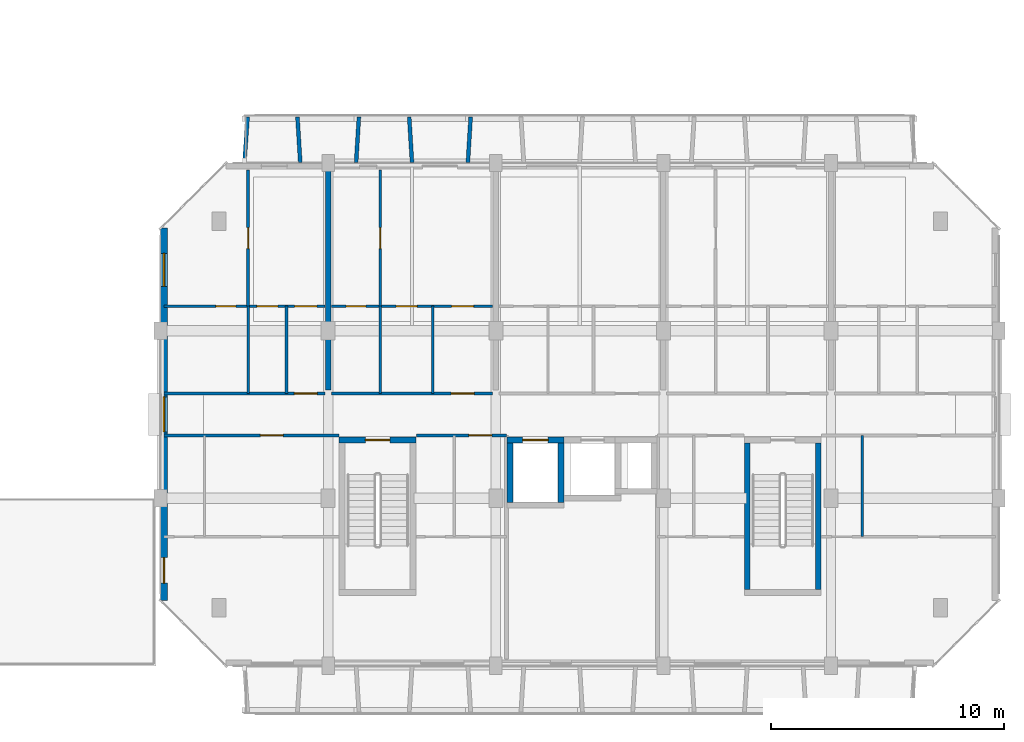
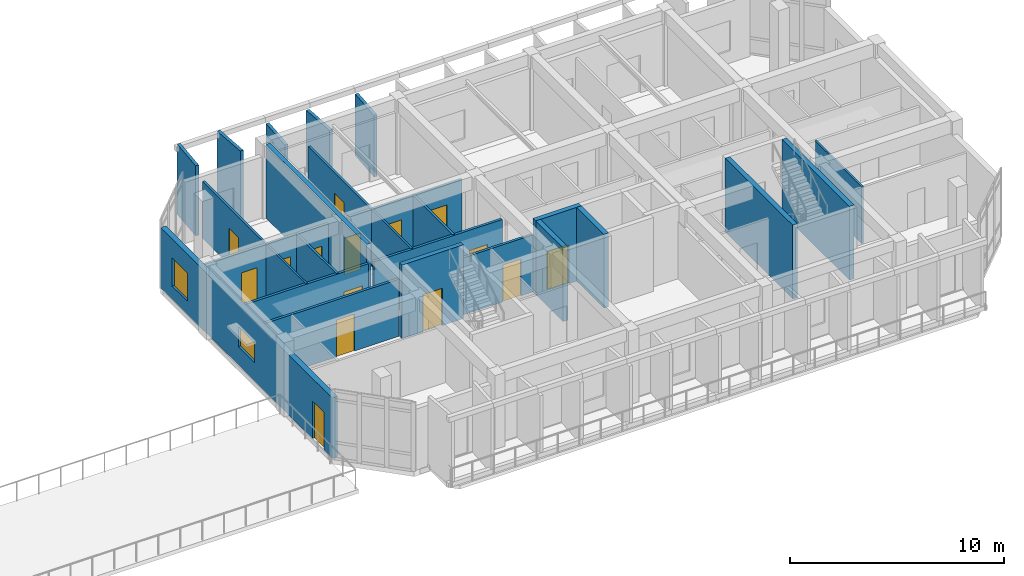
# One storey, part 60 of 85: 26 walls, 15 doors, 2 windows, 17 openings.
"""IFC4 building model written with IfcOpenShell, lengths in metres."""

from ifc_helpers import new_model, si_unit, direction, frame, frame_2d, origin, place, context, subcontext, project, spatial, rectangle, extrude, material, layer, layer_set, type_object, element, fill, save


model = new_model("IFC4")

# Units and contexts
model_context = context("Model", 3, precision=1e-05, world=origin(), true_north=direction((0.0, 1.0)))
body_context = subcontext(model_context, "Body", "Model", "MODEL_VIEW")
ifc_project = project(units=[si_unit("LENGTHUNIT", "METRE"), si_unit("AREAUNIT", "SQUARE_METRE"), si_unit("VOLUMEUNIT", "CUBIC_METRE"), si_unit("PLANEANGLEUNIT", "RADIAN"), si_unit("MASSUNIT", "GRAM", prefix="KILO")], contexts=[model_context])

# Site, building, storey
site_placement = place(None, origin())
site = spatial("IfcSite", under=ifc_project, at=site_placement, CompositionType="ELEMENT")
building_placement = place(site_placement, origin())
building = spatial("IfcBuilding", under=site, at=building_placement, Name="Ochrevale Crest", CompositionType="ELEMENT")
storey_placement = place(building_placement, frame((0.0, 0.0, 4.5)))
storey = spatial("IfcBuildingStorey", under=building, at=storey_placement, Name="L01", CompositionType="ELEMENT", Elevation=4.5)

# Wall, opening, door
ifc_material_1 = material(Name="Gypsum plasterboard", Category="gypsum")
ifc_layer_1 = layer(ifc_material_1, 0.139892578125)
ifc_layer_set_1 = layer_set([ifc_layer_1], Name="Gypsum plasterboard")
wall_type_1 = type_object("IfcWallType", Name="WL-COR-140", PredefinedType="PARTITIONING", material=ifc_layer_set_1)
wall_1_placement = place(storey_placement, frame((129.739990234375, 83.699951171875, 0.0), z_axis=(0.0, 0.0, 1.0), x_axis=(1.0, 0.0, 0.0)))
wall_1 = element("IfcWall", 1, at=wall_1_placement, inside=storey, type_object=wall_type_1, Name="Apartment D-L01-U1 corridor wall", PredefinedType="PARTITIONING", context=body_context, shape_type="SweptSolid", body=[
    extrude(rectangle(XDim=6.919921875, YDim=0.139892578125, at=frame_2d((3.4599609375, 0.0))), origin(), (0.0, 0.0, 1.0), 3.25),
])
opening_1_placement = place(wall_1_placement, frame((5.60498046875, 0.0, 0.0)))
opening_1 = element("IfcOpeningElement", 2, at=opening_1_placement, cuts=wall_1, Name="Opening FD01", PredefinedType="OPENING", context=body_context, shape_type="SweptSolid", body=[
    extrude(rectangle(XDim=0.97998046875, YDim=2.10009765625, at=frame_2d((0.489990234375, 1.050048828125))), frame((0.0, 0.080078125, 0.0), z_axis=(0.0, -1.0, 0.0), x_axis=(1.0, 0.0, 0.0)), (0.0, 0.0, 1.0), 0.159912109375),
])
ifc_material_2 = material(Name="Solid-core FSC hardwood", Category="wood")
door_type_1 = type_object("IfcDoorType", Name="DR-APT-950", OperationType="NOTDEFINED", PredefinedType="DOOR", material=ifc_material_2)
door_1_placement = place(opening_1_placement, origin())
door_1 = element("IfcDoor", 3, at=door_1_placement, inside=storey, type_object=door_type_1, Name="Apartment D-L01-U1 entrance door", OperationType="SINGLE_SWING_LEFT", OverallHeight=2.10009765625, OverallWidth=0.97998046875, PredefinedType="DOOR", context=body_context, shape_type="SweptSolid", body=[
    extrude(rectangle(XDim=0.97998046875, YDim=2.10009765625, at=frame_2d((0.489990234375, 1.050048828125))), frame((0.0, 0.02490234375, 0.0), z_axis=(0.0, -1.0, 0.0), x_axis=(1.0, 0.0, 0.0)), (0.0, 0.0, 1.0), 0.050048828125),
])
fill(opening_1, door_1)

wall_2_placement = place(storey_placement, frame((136.93994140625, 83.699951171875, 0.0), z_axis=(0.0, 0.0, 1.0), x_axis=(1.0, 0.0, 0.0)))
wall_2 = element("IfcWall", 4, at=wall_2_placement, inside=storey, type_object=wall_type_1, Name="Apartment D-L01-U2 corridor wall", PredefinedType="PARTITIONING", context=body_context, shape_type="SweptSolid", body=[
    extrude(rectangle(XDim=6.920166015625, YDim=0.139892578125, at=frame_2d((3.4599609375, 0.0))), origin(), (0.0, 0.0, 1.0), 3.25),
])
opening_2_placement = place(wall_2_placement, frame((6.125, 0.0, 0.0), z_axis=(0.0, 0.0, 1.0), x_axis=(-1.0, 0.0, 0.0)))
opening_2 = element("IfcOpeningElement", 5, at=opening_2_placement, cuts=wall_2, Name="Opening FD01", PredefinedType="OPENING", context=body_context, shape_type="SweptSolid", body=[
    extrude(rectangle(XDim=0.97998046875, YDim=2.10009765625, at=frame_2d((0.489990234375, 1.050048828125))), frame((0.0, 0.080078125, 0.0), z_axis=(0.0, -1.0, 0.0), x_axis=(1.0, 0.0, 0.0)), (0.0, 0.0, 1.0), 0.159912109375),
])
door_2_placement = place(opening_2_placement, origin())
door_2 = element("IfcDoor", 6, at=door_2_placement, inside=storey, type_object=door_type_1, Name="Apartment D-L01-U2 entrance door", OperationType="SINGLE_SWING_RIGHT", OverallHeight=2.10009765625, OverallWidth=0.97998046875, PredefinedType="DOOR", context=body_context, shape_type="SweptSolid", body=[
    extrude(rectangle(XDim=0.97998046875, YDim=2.10009765625, at=frame_2d((0.489990234375, 1.050048828125))), frame((0.0, 0.02490234375, 0.0), z_axis=(0.0, -1.0, 0.0), x_axis=(1.0, 0.0, 0.0)), (0.0, 0.0, 1.0), 0.050048828125),
])
fill(opening_2, door_2)

wall_3_placement = place(storey_placement, frame((129.739990234375, 81.89990234375, 0.0), z_axis=(0.0, 0.0, 1.0), x_axis=(1.0, 0.0, 0.0)))
wall_3 = element("IfcWall", 7, at=wall_3_placement, inside=storey, type_object=wall_type_1, Name="Suite D-L01-CW corridor wall", PredefinedType="PARTITIONING", context=body_context, shape_type="SweptSolid", body=[
    extrude(rectangle(XDim=7.52001953125, YDim=0.139892578125, at=frame_2d((3.760009765625, 0.0))), origin(), (0.0, 0.0, 1.0), 3.25),
])
opening_3_placement = place(wall_3_placement, frame((5.125, 0.0, 0.0), z_axis=(0.0, 0.0, 1.0), x_axis=(-1.0, 0.0, 0.0)))
opening_3 = element("IfcOpeningElement", 8, at=opening_3_placement, cuts=wall_3, Name="Opening FD01", PredefinedType="OPENING", context=body_context, shape_type="SweptSolid", body=[
    extrude(rectangle(XDim=0.97998046875, YDim=2.10009765625, at=frame_2d((0.489990234375, 1.050048828125))), frame((0.0, 0.080078125, 0.0), z_axis=(0.0, -1.0, 0.0), x_axis=(1.0, 0.0, 0.0)), (0.0, 0.0, 1.0), 0.159912109375),
])
door_3_placement = place(opening_3_placement, origin())
door_3 = element("IfcDoor", 9, at=door_3_placement, inside=storey, type_object=door_type_1, Name="Suite D-L01-CW entrance door", OperationType="SINGLE_SWING_RIGHT", OverallHeight=2.10009765625, OverallWidth=0.97998046875, PredefinedType="DOOR", context=body_context, shape_type="SweptSolid", body=[
    extrude(rectangle(XDim=0.97998046875, YDim=2.10009765625, at=frame_2d((0.489990234375, 1.050048828125))), frame((0.0, 0.02490234375, 0.0), z_axis=(0.0, -1.0, 0.0), x_axis=(1.0, 0.0, 0.0)), (0.0, 0.0, 1.0), 0.050048828125),
])
fill(opening_3, door_3)

wall_4_placement = place(storey_placement, frame((140.590087890625, 81.89990234375, 0.0), z_axis=(0.0, 0.0, 1.0), x_axis=(1.0, 0.0, 0.0)))
wall_4 = element("IfcWall", 10, at=wall_4_placement, inside=storey, type_object=wall_type_1, Name="Suite D-L01-MW corridor wall", PredefinedType="PARTITIONING", context=body_context, shape_type="SweptSolid", body=[
    extrude(rectangle(XDim=3.869873046875, YDim=0.139892578125, at=frame_2d((1.93505859375, 0.0))), origin(), (0.0, 0.0, 1.0), 3.25),
])
opening_4_placement = place(wall_4_placement, frame((2.2578125, 0.0, 0.0)))
opening_4 = element("IfcOpeningElement", 11, at=opening_4_placement, cuts=wall_4, Name="Opening FD01", PredefinedType="OPENING", context=body_context, shape_type="SweptSolid", body=[
    extrude(rectangle(XDim=0.97998046875, YDim=2.10009765625, at=frame_2d((0.489990234375, 1.050048828125))), frame((0.0, 0.080078125, 0.0), z_axis=(0.0, -1.0, 0.0), x_axis=(1.0, 0.0, 0.0)), (0.0, 0.0, 1.0), 0.159912109375),
])
door_4_placement = place(opening_4_placement, origin())
door_4 = element("IfcDoor", 12, at=door_4_placement, inside=storey, type_object=door_type_1, Name="Suite D-L01-MW entrance door", OperationType="SINGLE_SWING_LEFT", OverallHeight=2.10009765625, OverallWidth=0.97998046875, PredefinedType="DOOR", context=body_context, shape_type="SweptSolid", body=[
    extrude(rectangle(XDim=0.97998046875, YDim=2.10009765625, at=frame_2d((0.489990234375, 1.050048828125))), frame((0.0, 0.02490234375, 0.0), z_axis=(0.0, -1.0, 0.0), x_axis=(1.0, 0.0, 0.0)), (0.0, 0.0, 1.0), 0.050048828125),
])
fill(opening_4, door_4)

ifc_material_3 = material(Name="Precast concrete C50/60", Category="concrete")
ifc_layer_2 = layer(ifc_material_3, 0.2548828125)
ifc_layer_set_2 = layer_set([ifc_layer_2], Name="Precast concrete C50/60")
wall_type_2 = type_object("IfcWallType", Name="WL-CORE-255", PredefinedType="SHEAR", material=ifc_layer_set_2)
wall_5_placement = place(storey_placement, frame((137.2724609375, 81.699951171875, 0.0), z_axis=(0.0, 0.0, 1.0), x_axis=(1.0, 0.0, 0.0)))
wall_5 = element("IfcWall", 13, at=wall_5_placement, inside=storey, type_object=wall_type_2, Name="Block D L01 Stair 1 precast core shear wall N", PredefinedType="SHEAR", context=body_context, shape_type="SweptSolid", body=[
    extrude(rectangle(XDim=3.304931640625, YDim=0.2548828125, at=frame_2d((1.65234375, 0.0))), origin(), (0.0, 0.0, 1.0), 4.199951171875),
])
opening_5_placement = place(wall_5_placement, frame((2.177490234375, 0.0, 0.0), z_axis=(0.0, 0.0, 1.0), x_axis=(-1.0, 0.0, 0.0)))
opening_5 = element("IfcOpeningElement", 14, at=opening_5_placement, cuts=wall_5, Name="Opening FD03", PredefinedType="OPENING", context=body_context, shape_type="SweptSolid", body=[
    extrude(rectangle(XDim=1.050048828125, YDim=2.1201171875, at=frame_2d((0.52490234375, 1.06005859375))), frame((0.0, 0.137451171875, 0.0), z_axis=(0.0, -1.0, 0.0), x_axis=(1.0, 0.0, 0.0)), (0.0, 0.0, 1.0), 0.27490234375),
])
door_type_2 = type_object("IfcDoorType", Name="DR-ST-1050", OperationType="NOTDEFINED", PredefinedType="DOOR", material=ifc_material_2)
door_5_placement = place(opening_5_placement, origin())
door_5 = element("IfcDoor", 15, at=door_5_placement, inside=storey, type_object=door_type_2, Name="Block D L01 fire stair 1 door", OperationType="SINGLE_SWING_RIGHT", OverallHeight=2.1201171875, OverallWidth=1.050048828125, PredefinedType="DOOR", context=body_context, shape_type="SweptSolid", body=[
    extrude(rectangle(XDim=1.050048828125, YDim=2.1201171875, at=frame_2d((0.52490234375, 1.06005859375))), frame((0.0, 0.02490234375, 0.0), z_axis=(0.0, -1.0, 0.0), x_axis=(1.0, 0.0, 0.0)), (0.0, 0.0, 1.0), 0.050048828125),
])
fill(opening_5, door_5)

# Walls
for number, where, z_axis, x_axis, name in (
    (16, (154.800048828125, 75.277587890625, 0.0), (0.0, 0.0, 1.0), (0.0, 1.0, 0.0), "Block D L01 Stair 2 precast core shear wall W"),
    (17, (157.85009765625, 75.277587890625, 0.0), (0.0, 0.0, 1.0), (0.0, 1.0, 0.0), "Block D L01 Stair 2 precast core shear wall E"),
):
    element("IfcWall", number, at=place(storey_placement, frame(where, z_axis=z_axis, x_axis=x_axis)), inside=storey, type_object=wall_type_2, Name=name, PredefinedType="SHEAR", context=body_context, shape_type="SweptSolid", body=[
        extrude(rectangle(XDim=6.294921875, YDim=0.2548828125, at=frame_2d((3.1474609375, 0.0))), origin(), (0.0, 0.0, 1.0), 4.199951171875),
    ])

# Wall, opening, door
wall_6_placement = place(storey_placement, frame((144.472412109375, 81.699951171875, 0.0), z_axis=(0.0, 0.0, 1.0), x_axis=(1.0, 0.0, 0.0)))
wall_6 = element("IfcWall", 18, at=wall_6_placement, inside=storey, type_object=wall_type_2, Name="Block D L01 Lift 1 precast shaft shear wall N", PredefinedType="SHEAR", context=body_context, shape_type="SweptSolid", body=[
    extrude(rectangle(XDim=2.455078125, YDim=0.2548828125, at=frame_2d((1.2275390625, 0.0))), origin(), (0.0, 0.0, 1.0), 4.199951171875),
])
opening_6_placement = place(wall_6_placement, frame((0.677490234375, 0.0, 0.0)))
opening_6 = element("IfcOpeningElement", 19, at=opening_6_placement, cuts=wall_6, Name="Opening LD01", PredefinedType="OPENING", context=body_context, shape_type="SweptSolid", body=[
    extrude(rectangle(XDim=1.10009765625, YDim=2.14990234375, at=frame_2d((0.550048828125, 1.074951171875))), frame((0.0, 0.137451171875, 0.0), z_axis=(0.0, -1.0, 0.0), x_axis=(1.0, 0.0, 0.0)), (0.0, 0.0, 1.0), 0.27490234375),
])
door_type_3 = type_object("IfcDoorType", Name="DR-LIFT-1100", OperationType="NOTDEFINED", PredefinedType="DOOR", material=ifc_material_2)
door_6_placement = place(opening_6_placement, origin())
door_6 = element("IfcDoor", 20, at=door_6_placement, inside=storey, type_object=door_type_3, Name="Lift LF-D1 L01 sliding landing door", OperationType="SLIDING_TO_LEFT", OverallHeight=2.14990234375, OverallWidth=1.10009765625, PredefinedType="DOOR", context=body_context, shape_type="SweptSolid", body=[
    extrude(rectangle(XDim=1.10009765625, YDim=2.14990234375, at=frame_2d((0.550048828125, 1.074951171875))), frame((0.0, 0.02490234375, 0.0), z_axis=(0.0, -1.0, 0.0), x_axis=(1.0, 0.0, 0.0)), (0.0, 0.0, 1.0), 0.050048828125),
])
fill(opening_6, door_6)

# Walls
for number, where, z_axis, x_axis, name in (
    (21, (144.60009765625, 79.027587890625, 0.0), (0.0, 0.0, 1.0), (0.0, 1.0, 0.0), "Block D L01 Lift 1 precast shaft shear wall W"),
    (22, (146.800048828125, 79.027587890625, 0.0), (0.0, 0.0, 1.0), (0.0, 1.0, 0.0), "Block D L01 Lift 1 precast shaft shear wall E"),
):
    element("IfcWall", number, at=place(storey_placement, frame(where, z_axis=z_axis, x_axis=x_axis)), inside=storey, type_object=wall_type_2, Name=name, PredefinedType="SHEAR", context=body_context, shape_type="SweptSolid", body=[
        extrude(rectangle(XDim=2.544921875, YDim=0.2548828125, at=frame_2d((1.2724609375, 0.0))), origin(), (0.0, 0.0, 1.0), 4.199951171875),
    ])

# Wall, openings, door, windows
ifc_material_4 = material(Name="Clay face brickwork", Category="masonry")
ifc_layer_3 = layer(ifc_material_4, 0.2900390625)
ifc_layer_set_3 = layer_set([ifc_layer_3], Name="Clay face brickwork")
wall_type_3 = type_object("IfcWallType", Name="WL-EXT-BRICK-290", PredefinedType="SOLIDWALL", material=ifc_layer_set_3)
wall_7_placement = place(storey_placement, frame((129.7451171875, 90.800048828125, 0.0), z_axis=(0.0, 0.0, 1.0), x_axis=(0.0, -1.0, 0.0)))
wall_7 = element("IfcWall", 23, at=wall_7_placement, inside=storey, type_object=wall_type_3, Name="Block D L01 external facade wall E7", PredefinedType="SOLIDWALL", context=body_context, shape_type="SweptSolid", body=[
    extrude(rectangle(XDim=16.0, YDim=0.2900390625, at=frame_2d((8.0, 0.0))), origin(), (0.0, 0.0, 1.0), 3.429931640625),
])
opening_7_placement = place(wall_7_placement, frame((15.25, 0.0, 0.0), z_axis=(0.0, 0.0, 1.0), x_axis=(-1.0, 0.0, 0.0)))
opening_7 = element("IfcOpeningElement", 24, at=opening_7_placement, cuts=wall_7, Name="Opening ED06", PredefinedType="OPENING", context=body_context, shape_type="SweptSolid", body=[
    extrude(rectangle(XDim=1.10009765625, YDim=2.14990234375, at=frame_2d((0.550048828125, 1.074951171875))), frame((0.0, 0.155029296875, 0.0), z_axis=(0.0, -1.0, 0.0), x_axis=(1.0, 0.0, 0.0)), (0.0, 0.0, 1.0), 0.31005859375),
])
opening_8_placement = place(wall_7_placement, frame((7.25, 0.0, 1.050048828125)))
opening_8 = element("IfcOpeningElement", 25, at=opening_8_placement, cuts=wall_7, Name="Opening W18", PredefinedType="OPENING", context=body_context, shape_type="SweptSolid", body=[
    extrude(rectangle(XDim=1.5, YDim=1.14990234375, at=frame_2d((0.75, 0.574951171875))), frame((0.0, 0.155029296875, 0.0), z_axis=(0.0, -1.0, 0.0), x_axis=(1.0, 0.0, 0.0)), (0.0, 0.0, 1.0), 0.31005859375),
])
opening_9_placement = place(wall_7_placement, frame((1.080078125, 0.0, 0.75)))
opening_9 = element("IfcOpeningElement", 26, at=opening_9_placement, cuts=wall_7, Name="Opening W31", PredefinedType="OPENING", context=body_context, shape_type="SweptSolid", body=[
    extrude(rectangle(XDim=1.419921875, YDim=1.60009765625, at=frame_2d((0.7099609375, 0.800048828125))), frame((0.0, 0.155029296875, 0.0), z_axis=(0.0, -1.0, 0.0), x_axis=(1.0, 0.0, 0.0)), (0.0, 0.0, 1.0), 0.31005859375),
])
ifc_material_5 = material(Name="Anodised aluminium 6063-T5 and toughened glass", Category="aluminium")
door_type_4 = type_object("IfcDoorType", Name="DR-EXT-1100", OperationType="NOTDEFINED", PredefinedType="DOOR", material=ifc_material_5)
door_7_placement = place(opening_7_placement, origin())
door_7 = element("IfcDoor", 27, at=door_7_placement, inside=storey, type_object=door_type_4, Name="Block D L01 hillside promenade terrace door", OperationType="SINGLE_SWING_RIGHT", OverallHeight=2.14990234375, OverallWidth=1.10009765625, PredefinedType="DOOR", context=body_context, shape_type="SweptSolid", body=[
    extrude(rectangle(XDim=1.10009765625, YDim=2.14990234375, at=frame_2d((0.550048828125, 1.074951171875))), frame((0.0, 0.02490234375, 0.0), z_axis=(0.0, -1.0, 0.0), x_axis=(1.0, 0.0, 0.0)), (0.0, 0.0, 1.0), 0.050048828125),
])
fill(opening_7, door_7)
ifc_material_6 = material(Name="Anodised aluminium 6063-T5 and low-E double glazing", Category="aluminium")
window_type_1 = type_object("IfcWindowType", Name="WIN-W18", PartitioningType="SINGLE_PANEL", PredefinedType="WINDOW", material=ifc_material_6)
window_1_placement = place(opening_8_placement, origin())
window_1 = element("IfcWindow", 28, at=window_1_placement, inside=storey, type_object=window_type_1, Name="Block D L01 corridor end daylight window W", OverallHeight=1.14990234375, OverallWidth=1.5, PartitioningType="SINGLE_PANEL", PredefinedType="WINDOW", context=body_context, shape_type="SweptSolid", body=[
    extrude(rectangle(XDim=1.5, YDim=1.14990234375, at=frame_2d((0.75, 0.574951171875))), frame((0.0, 0.030029296875, 0.0), z_axis=(0.0, -1.0, 0.0), x_axis=(1.0, 0.0, 0.0)), (0.0, 0.0, 1.0), 0.06005859375),
])
fill(opening_8, window_1)
window_type_2 = type_object("IfcWindowType", Name="WIN-W31", PartitioningType="SINGLE_PANEL", PredefinedType="WINDOW", material=ifc_material_6)
window_2_placement = place(opening_9_placement, origin())
window_2 = element("IfcWindow", 29, at=window_2_placement, inside=storey, type_object=window_type_2, Name="Block D L01 side suite window W", OverallHeight=1.60009765625, OverallWidth=1.419921875, PartitioningType="SINGLE_PANEL", PredefinedType="WINDOW", context=body_context, shape_type="SweptSolid", body=[
    extrude(rectangle(XDim=1.419921875, YDim=1.60009765625, at=frame_2d((0.7099609375, 0.800048828125))), frame((0.0, 0.030029296875, 0.0), z_axis=(0.0, -1.0, 0.0), x_axis=(1.0, 0.0, 0.0)), (0.0, 0.0, 1.0), 0.06005859375),
])
fill(opening_9, window_2)

# Walls
ifc_material_7 = material(Name="Precast concrete C40/50", Category="concrete")
ifc_layer_4 = layer(ifc_material_7, 0.1650390625)
ifc_layer_set_4 = layer_set([ifc_layer_4], Name="Precast concrete C40/50")
wall_type_4 = type_object("IfcWallType", Name="WL-HC-CHEEK-165", PredefinedType="ELEMENTEDWALL", material=ifc_layer_set_4)
wall_8_placement = place(storey_placement, frame((133.199951171875, 93.6201171875, 0.0), z_axis=(0.0, 0.0, 1.0), x_axis=(0.071317687608, 0.997453651772, 0.0)))
element("IfcWall", 30, at=wall_8_placement, inside=storey, type_object=wall_type_4, Name="Block D L01 N precast honeycomb cheek 1", PredefinedType="ELEMENTEDWALL", context=body_context, shape_type="SweptSolid", body=[
    extrude(rectangle(XDim=1.96484375, YDim=0.1650390625, at=frame_2d((0.982421875, 0.0))), origin(), (0.0, 0.0, 1.0), 4.0),
])
wall_9_placement = place(storey_placement, frame((135.60009765625, 93.6201171875, 0.0), z_axis=(0.0, 0.0, 1.0), x_axis=(-0.061170732449, 0.998127317276, 0.0)))
element("IfcWall", 31, at=wall_9_placement, inside=storey, type_object=wall_type_4, Name="Block D L01 N precast honeycomb cheek 2", PredefinedType="ELEMENTEDWALL", context=body_context, shape_type="SweptSolid", body=[
    extrude(rectangle(XDim=1.963623046875, YDim=0.1650390625, at=frame_2d((0.98193359375, 0.0))), origin(), (0.0, 0.0, 1.0), 4.0),
])
for number, where, z_axis, x_axis, name in (
    (32, (138.0, 93.6201171875, 0.0), (0.0, 0.0, 1.0), (0.061170732449, 0.998127317276, 0.0), "Block D L01 N precast honeycomb cheek 3"),
    (33, (140.39990234375, 93.6201171875, 0.0), (0.0, 0.0, 1.0), (-0.061046865508, 0.998134900808, 0.0), "Block D L01 N precast honeycomb cheek 4"),
    (34, (142.800048828125, 93.6201171875, 0.0), (0.0, 0.0, 1.0), (0.061046865508, 0.998134900808, 0.0), "Block D L01 N precast honeycomb cheek 5"),
):
    element("IfcWall", number, at=place(storey_placement, frame(where, z_axis=z_axis, x_axis=x_axis)), inside=storey, type_object=wall_type_4, Name=name, PredefinedType="ELEMENTEDWALL", context=body_context, shape_type="SweptSolid", body=[
        extrude(rectangle(XDim=1.963623046875, YDim=0.1650390625, at=frame_2d((0.98193359375, 0.0))), origin(), (0.0, 0.0, 1.0), 3.5),
    ])
ifc_layer_5 = layer(ifc_material_1, 0.1201171875)
ifc_layer_set_5 = layer_set([ifc_layer_5], Name="Gypsum plasterboard")
wall_type_5 = type_object("IfcWallType", Name="WL-PART-120", PredefinedType="PARTITIONING", material=ifc_layer_set_5)
wall_10_placement = place(storey_placement, frame((135.010009765625, 83.699951171875, 0.0), z_axis=(0.0, 0.0, 1.0), x_axis=(0.0, 1.0, 0.0)))
element("IfcWall", 35, at=wall_10_placement, inside=storey, type_object=wall_type_5, Name="Apartment D-L01-U1 kitchen-foyer wall", PredefinedType="PARTITIONING", context=body_context, shape_type="SweptSolid", body=[
    extrude(rectangle(XDim=3.75, YDim=0.1201171875, at=frame_2d((1.875, 0.0))), origin(), (0.0, 0.0, 1.0), 3.25),
])

# Wall, openings, doors
wall_11_placement = place(storey_placement, frame((129.739990234375, 87.449951171875, 0.0), z_axis=(0.0, 0.0, 1.0), x_axis=(1.0, 0.0, 0.0)))
wall_11 = element("IfcWall", 36, at=wall_11_placement, inside=storey, type_object=wall_type_5, Name="Apartment D-L01-U1 central partition", PredefinedType="PARTITIONING", context=body_context, shape_type="SweptSolid", body=[
    extrude(rectangle(XDim=6.919921875, YDim=0.1201171875, at=frame_2d((3.4599609375, 0.0))), origin(), (0.0, 0.0, 1.0), 3.25),
])
opening_10_placement = place(wall_11_placement, frame((3.090087890625, 0.0, 0.0), z_axis=(0.0, 0.0, 1.0), x_axis=(-1.0, 0.0, 0.0)))
opening_10 = element("IfcOpeningElement", 37, at=opening_10_placement, cuts=wall_11, Name="Opening ID01", PredefinedType="OPENING", context=body_context, shape_type="SweptSolid", body=[
    extrude(rectangle(XDim=0.85009765625, YDim=2.080078125, at=frame_2d((0.425048828125, 1.0400390625))), frame((0.0, 0.070068359375, 0.0), z_axis=(0.0, -1.0, 0.0), x_axis=(1.0, 0.0, 0.0)), (0.0, 0.0, 1.0), 0.14013671875),
])
opening_11_placement = place(wall_11_placement, frame((3.9951171875, 0.0, 0.0)))
opening_11 = element("IfcOpeningElement", 38, at=opening_11_placement, cuts=wall_11, Name="Opening ID02", PredefinedType="OPENING", context=body_context, shape_type="SweptSolid", body=[
    extrude(rectangle(XDim=0.89990234375, YDim=2.080078125, at=frame_2d((0.449951171875, 1.0400390625))), frame((0.0, 0.070068359375, 0.0), z_axis=(0.0, -1.0, 0.0), x_axis=(1.0, 0.0, 0.0)), (0.0, 0.0, 1.0), 0.14013671875),
])
opening_12_placement = place(wall_11_placement, frame((6.570068359375, 0.0, 0.0), z_axis=(0.0, 0.0, 1.0), x_axis=(-1.0, 0.0, 0.0)))
opening_12 = element("IfcOpeningElement", 39, at=opening_12_placement, cuts=wall_11, Name="Opening ID06", PredefinedType="OPENING", context=body_context, shape_type="SweptSolid", body=[
    extrude(rectangle(XDim=0.949951171875, YDim=2.080078125, at=frame_2d((0.47509765625, 1.0400390625))), frame((0.0, 0.070068359375, 0.0), z_axis=(0.0, -1.0, 0.0), x_axis=(1.0, 0.0, 0.0)), (0.0, 0.0, 1.0), 0.14013671875),
])
door_type_5 = type_object("IfcDoorType", Name="DR-INT-900", OperationType="NOTDEFINED", PredefinedType="DOOR", material=ifc_material_2)
door_8_placement = place(opening_11_placement, origin())
door_8 = element("IfcDoor", 40, at=door_8_placement, inside=storey, type_object=door_type_5, Name="Apartment D-L01-U1 Kitchen door", OperationType="SINGLE_SWING_LEFT", OverallHeight=2.080078125, OverallWidth=0.89990234375, PredefinedType="DOOR", context=body_context, shape_type="SweptSolid", body=[
    extrude(rectangle(XDim=0.89990234375, YDim=2.080078125, at=frame_2d((0.449951171875, 1.0400390625))), frame((0.0, 0.02490234375, 0.0), z_axis=(0.0, -1.0, 0.0), x_axis=(1.0, 0.0, 0.0)), (0.0, 0.0, 1.0), 0.050048828125),
])
fill(opening_11, door_8)
door_type_6 = type_object("IfcDoorType", Name="DR-INT-950", OperationType="NOTDEFINED", PredefinedType="DOOR", material=ifc_material_2)
door_9_placement = place(opening_12_placement, origin())
door_9 = element("IfcDoor", 41, at=door_9_placement, inside=storey, type_object=door_type_6, Name="Apartment D-L01-U1 Living Foyer door", OperationType="SINGLE_SWING_RIGHT", OverallHeight=2.080078125, OverallWidth=0.949951171875, PredefinedType="DOOR", context=body_context, shape_type="SweptSolid", body=[
    extrude(rectangle(XDim=0.949951171875, YDim=2.080078125, at=frame_2d((0.47509765625, 1.0400390625))), frame((0.0, 0.02490234375, 0.0), z_axis=(0.0, -1.0, 0.0), x_axis=(1.0, 0.0, 0.0)), (0.0, 0.0, 1.0), 0.050048828125),
])
fill(opening_12, door_9)
door_type_7 = type_object("IfcDoorType", Name="DR-WC-850", OperationType="NOTDEFINED", PredefinedType="DOOR", material=ifc_material_2)
door_10_placement = place(opening_10_placement, origin())
door_10 = element("IfcDoor", 42, at=door_10_placement, inside=storey, type_object=door_type_7, Name="Apartment D-L01-U1 Bathroom door", OperationType="SINGLE_SWING_RIGHT", OverallHeight=2.080078125, OverallWidth=0.85009765625, PredefinedType="DOOR", context=body_context, shape_type="SweptSolid", body=[
    extrude(rectangle(XDim=0.85009765625, YDim=2.080078125, at=frame_2d((0.425048828125, 1.0400390625))), frame((0.0, 0.02490234375, 0.0), z_axis=(0.0, -1.0, 0.0), x_axis=(1.0, 0.0, 0.0)), (0.0, 0.0, 1.0), 0.050048828125),
])
fill(opening_10, door_10)

# Wall, opening, door
wall_12_placement = place(storey_placement, frame((133.360107421875, 87.449951171875, 0.0), z_axis=(0.0, 0.0, 1.0), x_axis=(0.0, 1.0, 0.0)))
wall_12 = element("IfcWall", 43, at=wall_12_placement, inside=storey, type_object=wall_type_5, Name="Apartment D-L01-U1 bedroom partition", PredefinedType="PARTITIONING", context=body_context, shape_type="SweptSolid", body=[
    extrude(rectangle(XDim=5.85009765625, YDim=0.1201171875, at=frame_2d((2.925048828125, 0.0))), origin(), (0.0, 0.0, 1.0), 3.25),
])
opening_13_placement = place(wall_12_placement, frame((2.47509765625, 0.0, 0.0)))
opening_13 = element("IfcOpeningElement", 44, at=opening_13_placement, cuts=wall_12, Name="Opening ID02", PredefinedType="OPENING", context=body_context, shape_type="SweptSolid", body=[
    extrude(rectangle(XDim=0.89990234375, YDim=2.080078125, at=frame_2d((0.449951171875, 1.0400390625))), frame((0.0, 0.070068359375, 0.0), z_axis=(0.0, -1.0, 0.0), x_axis=(1.0, 0.0, 0.0)), (0.0, 0.0, 1.0), 0.14013671875),
])
door_11_placement = place(opening_13_placement, origin())
door_11 = element("IfcDoor", 45, at=door_11_placement, inside=storey, type_object=door_type_5, Name="Apartment D-L01-U1 Master Bedroom door", OperationType="SINGLE_SWING_LEFT", OverallHeight=2.080078125, OverallWidth=0.89990234375, PredefinedType="DOOR", context=body_context, shape_type="SweptSolid", body=[
    extrude(rectangle(XDim=0.89990234375, YDim=2.080078125, at=frame_2d((0.449951171875, 1.0400390625))), frame((0.0, 0.02490234375, 0.0), z_axis=(0.0, -1.0, 0.0), x_axis=(1.0, 0.0, 0.0)), (0.0, 0.0, 1.0), 0.050048828125),
])
fill(opening_13, door_11)

# Wall
wall_13_placement = place(storey_placement, frame((141.2900390625, 83.699951171875, 0.0), z_axis=(0.0, 0.0, 1.0), x_axis=(0.0, 1.0, 0.0)))
element("IfcWall", 46, at=wall_13_placement, inside=storey, type_object=wall_type_5, Name="Apartment D-L01-U2 kitchen-foyer wall", PredefinedType="PARTITIONING", context=body_context, shape_type="SweptSolid", body=[
    extrude(rectangle(XDim=3.75, YDim=0.1201171875, at=frame_2d((1.875, 0.0))), origin(), (0.0, 0.0, 1.0), 3.25),
])

# Wall, openings, doors
wall_14_placement = place(storey_placement, frame((136.93994140625, 87.449951171875, 0.0), z_axis=(0.0, 0.0, 1.0), x_axis=(1.0, 0.0, 0.0)))
wall_14 = element("IfcWall", 47, at=wall_14_placement, inside=storey, type_object=wall_type_5, Name="Apartment D-L01-U2 central partition", PredefinedType="PARTITIONING", context=body_context, shape_type="SweptSolid", body=[
    extrude(rectangle(XDim=6.920166015625, YDim=0.1201171875, at=frame_2d((3.4599609375, 0.0))), origin(), (0.0, 0.0, 1.0), 3.25),
])
opening_14_placement = place(wall_14_placement, frame((0.625, 0.0, 0.0)))
opening_14 = element("IfcOpeningElement", 48, at=opening_14_placement, cuts=wall_14, Name="Opening ID01", PredefinedType="OPENING", context=body_context, shape_type="SweptSolid", body=[
    extrude(rectangle(XDim=0.85009765625, YDim=2.080078125, at=frame_2d((0.425048828125, 1.0400390625))), frame((0.0, 0.070068359375, 0.0), z_axis=(0.0, -1.0, 0.0), x_axis=(1.0, 0.0, 0.0)), (0.0, 0.0, 1.0), 0.14013671875),
])
opening_15_placement = place(wall_14_placement, frame((3.6748046875, 0.0, 0.0), z_axis=(0.0, 0.0, 1.0), x_axis=(-1.0, 0.0, 0.0)))
opening_15 = element("IfcOpeningElement", 49, at=opening_15_placement, cuts=wall_14, Name="Opening ID02", PredefinedType="OPENING", context=body_context, shape_type="SweptSolid", body=[
    extrude(rectangle(XDim=0.89990234375, YDim=2.080078125, at=frame_2d((0.449951171875, 1.0400390625))), frame((0.0, 0.070068359375, 0.0), z_axis=(0.0, -1.0, 0.0), x_axis=(1.0, 0.0, 0.0)), (0.0, 0.0, 1.0), 0.14013671875),
])
opening_16_placement = place(wall_14_placement, frame((5.159912109375, 0.0, 0.0)))
opening_16 = element("IfcOpeningElement", 50, at=opening_16_placement, cuts=wall_14, Name="Opening ID06", PredefinedType="OPENING", context=body_context, shape_type="SweptSolid", body=[
    extrude(rectangle(XDim=0.949951171875, YDim=2.080078125, at=frame_2d((0.47509765625, 1.0400390625))), frame((0.0, 0.070068359375, 0.0), z_axis=(0.0, -1.0, 0.0), x_axis=(1.0, 0.0, 0.0)), (0.0, 0.0, 1.0), 0.14013671875),
])
door_12_placement = place(opening_15_placement, origin())
door_12 = element("IfcDoor", 51, at=door_12_placement, inside=storey, type_object=door_type_5, Name="Apartment D-L01-U2 Kitchen door", OperationType="SINGLE_SWING_RIGHT", OverallHeight=2.080078125, OverallWidth=0.89990234375, PredefinedType="DOOR", context=body_context, shape_type="SweptSolid", body=[
    extrude(rectangle(XDim=0.89990234375, YDim=2.080078125, at=frame_2d((0.449951171875, 1.0400390625))), frame((0.0, 0.02490234375, 0.0), z_axis=(0.0, -1.0, 0.0), x_axis=(1.0, 0.0, 0.0)), (0.0, 0.0, 1.0), 0.050048828125),
])
fill(opening_15, door_12)
door_13_placement = place(opening_16_placement, origin())
door_13 = element("IfcDoor", 52, at=door_13_placement, inside=storey, type_object=door_type_6, Name="Apartment D-L01-U2 Living Foyer door", OperationType="SINGLE_SWING_LEFT", OverallHeight=2.080078125, OverallWidth=0.949951171875, PredefinedType="DOOR", context=body_context, shape_type="SweptSolid", body=[
    extrude(rectangle(XDim=0.949951171875, YDim=2.080078125, at=frame_2d((0.47509765625, 1.0400390625))), frame((0.0, 0.02490234375, 0.0), z_axis=(0.0, -1.0, 0.0), x_axis=(1.0, 0.0, 0.0)), (0.0, 0.0, 1.0), 0.050048828125),
])
fill(opening_16, door_13)
door_14_placement = place(opening_14_placement, origin())
door_14 = element("IfcDoor", 53, at=door_14_placement, inside=storey, type_object=door_type_7, Name="Apartment D-L01-U2 Bathroom door", OperationType="SINGLE_SWING_LEFT", OverallHeight=2.080078125, OverallWidth=0.85009765625, PredefinedType="DOOR", context=body_context, shape_type="SweptSolid", body=[
    extrude(rectangle(XDim=0.85009765625, YDim=2.080078125, at=frame_2d((0.425048828125, 1.0400390625))), frame((0.0, 0.02490234375, 0.0), z_axis=(0.0, -1.0, 0.0), x_axis=(1.0, 0.0, 0.0)), (0.0, 0.0, 1.0), 0.050048828125),
])
fill(opening_14, door_14)

# Wall, opening, door
wall_15_placement = place(storey_placement, frame((139.0400390625, 87.449951171875, 0.0), z_axis=(0.0, 0.0, 1.0), x_axis=(0.0, 1.0, 0.0)))
wall_15 = element("IfcWall", 54, at=wall_15_placement, inside=storey, type_object=wall_type_5, Name="Apartment D-L01-U2 bedroom partition", PredefinedType="PARTITIONING", context=body_context, shape_type="SweptSolid", body=[
    extrude(rectangle(XDim=5.85009765625, YDim=0.1201171875, at=frame_2d((2.925048828125, 0.0))), origin(), (0.0, 0.0, 1.0), 3.25),
])
opening_17_placement = place(wall_15_placement, frame((3.375, 0.0, 0.0), z_axis=(0.0, 0.0, 1.0), x_axis=(-1.0, 0.0, 0.0)))
opening_17 = element("IfcOpeningElement", 55, at=opening_17_placement, cuts=wall_15, Name="Opening ID02", PredefinedType="OPENING", context=body_context, shape_type="SweptSolid", body=[
    extrude(rectangle(XDim=0.89990234375, YDim=2.080078125, at=frame_2d((0.449951171875, 1.0400390625))), frame((0.0, 0.070068359375, 0.0), z_axis=(0.0, -1.0, 0.0), x_axis=(1.0, 0.0, 0.0)), (0.0, 0.0, 1.0), 0.14013671875),
])
door_15_placement = place(opening_17_placement, origin())
door_15 = element("IfcDoor", 56, at=door_15_placement, inside=storey, type_object=door_type_5, Name="Apartment D-L01-U2 Twin Bedroom door", OperationType="SINGLE_SWING_RIGHT", OverallHeight=2.080078125, OverallWidth=0.89990234375, PredefinedType="DOOR", context=body_context, shape_type="SweptSolid", body=[
    extrude(rectangle(XDim=0.89990234375, YDim=2.080078125, at=frame_2d((0.449951171875, 1.0400390625))), frame((0.0, 0.02490234375, 0.0), z_axis=(0.0, -1.0, 0.0), x_axis=(1.0, 0.0, 0.0)), (0.0, 0.0, 1.0), 0.050048828125),
])
fill(opening_17, door_15)

# Walls
ifc_layer_6 = layer(ifc_material_3, 0.239990234375)
ifc_layer_set_6 = layer_set([ifc_layer_6], Name="Precast concrete C50/60")
wall_type_6 = type_object("IfcWallType", Name="WL-SHEAR-240", PredefinedType="SHEAR", material=ifc_layer_set_6)
wall_16_placement = place(storey_placement, frame((136.800048828125, 83.85009765625, 0.0), z_axis=(0.0, 0.0, 1.0), x_axis=(0.0, 1.0, 0.0)))
element("IfcWall", 57, at=wall_16_placement, inside=storey, type_object=wall_type_6, Name="Block D L01 load-bearing precast cross-wall X=136.8", PredefinedType="SHEAR", context=body_context, shape_type="SweptSolid", body=[
    extrude(rectangle(XDim=9.39990234375, YDim=0.239990234375, at=frame_2d((4.699951171875, 0.0))), origin(), (0.0, 0.0, 1.0), 4.199951171875),
])
ifc_layer_7 = layer(ifc_material_1, 0.10009765625)
ifc_layer_set_7 = layer_set([ifc_layer_7], Name="Gypsum plasterboard")
wall_type_7 = type_object("IfcWallType", Name="WL-WET-100", PredefinedType="PARTITIONING", material=ifc_layer_set_7)
for number, where, z_axis, x_axis, name in (
    (58, (133.360107421875, 83.699951171875, 0.0), (0.0, 0.0, 1.0), (0.0, 1.0, 0.0), "Apartment D-L01-U1 bath-kitchen wall"),
    (59, (139.0400390625, 83.699951171875, 0.0), (0.0, 0.0, 1.0), (0.0, 1.0, 0.0), "Apartment D-L01-U2 bath-kitchen wall"),
):
    element("IfcWall", number, at=place(storey_placement, frame(where, z_axis=z_axis, x_axis=x_axis)), inside=storey, type_object=wall_type_7, Name=name, PredefinedType="PARTITIONING", context=body_context, shape_type="SweptSolid", body=[
        extrude(rectangle(XDim=3.75, YDim=0.10009765625, at=frame_2d((1.875, 0.0))), origin(), (0.0, 0.0, 1.0), 3.25),
    ])
wall_17_placement = place(storey_placement, frame((159.739990234375, 77.550048828125, 0.0), z_axis=(0.0, 0.0, 1.0), x_axis=(0.0, 1.0, 0.0)))
element("IfcWall", 60, at=wall_17_placement, inside=storey, type_object=wall_type_7, Name="Suite D-L01-CE bathroom divider", PredefinedType="PARTITIONING", context=body_context, shape_type="SweptSolid", body=[
    extrude(rectangle(XDim=4.349853515625, YDim=0.10009765625, at=frame_2d((2.1748046875, 0.0))), origin(), (0.0, 0.0, 1.0), 3.25),
])

save(model, "model.ifc")
